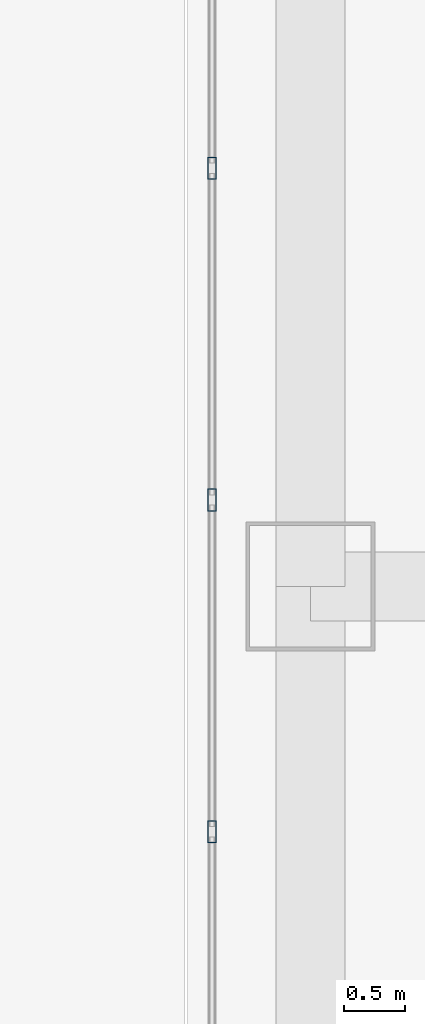
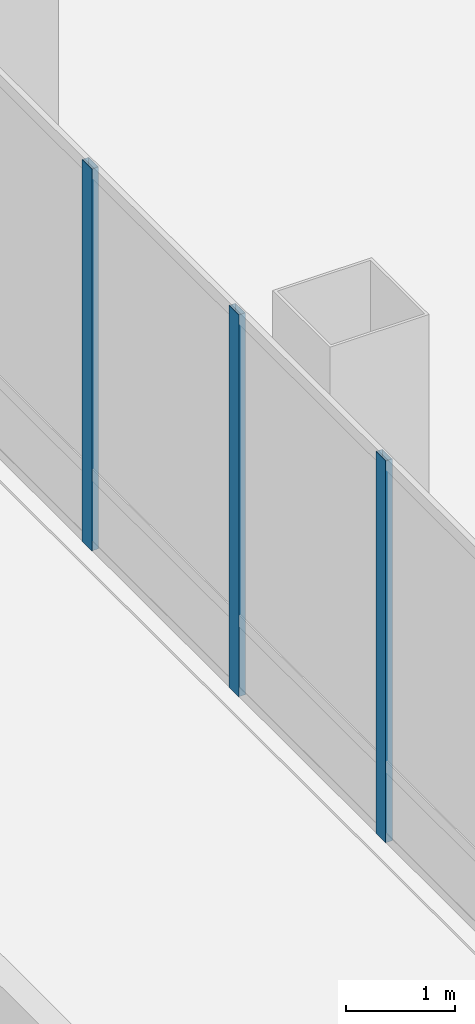
# One storey, part 8 of 33: 3 members, 1 element without a shape of its own.
"""IFC4 building model written with IfcOpenShell, lengths in metres."""

from ifc_helpers import new_model, si_unit, direction, frame, origin, origin_2d, place, context, subcontext, project, spatial, hollow_rectangle, extrude, material, material_profile, profile_set, type_object, element, aggregate, save


model = new_model("IFC4")

# Units and contexts
model_context = context("Model", 3, precision=1e-05, world=origin(), true_north=direction((0.0, 1.0)))
body_context = subcontext(model_context, "Body", "Model", "MODEL_VIEW")
ifc_project = project(units=[si_unit("LENGTHUNIT", "METRE"), si_unit("AREAUNIT", "SQUARE_METRE"), si_unit("VOLUMEUNIT", "CUBIC_METRE"), si_unit("PLANEANGLEUNIT", "RADIAN"), si_unit("MASSUNIT", "GRAM", prefix="KILO")], contexts=[model_context])

# Site, building, storey
site_placement = place(None, origin())
site = spatial("IfcSite", under=ifc_project, at=site_placement, CompositionType="ELEMENT")
building_placement = place(site_placement, origin())
building = spatial("IfcBuilding", under=site, at=building_placement, Name="Punatoya Terracotta Tower", CompositionType="ELEMENT")
storey_placement = place(building_placement, frame((0.0, 0.0, 343.800048828125)))
storey = spatial("IfcBuildingStorey", under=building, at=storey_placement, Name="L81", CompositionType="ELEMENT", Elevation=343.800048828125)

# Curtain wall, members
ifc_material_1 = material(Name="Aluminium 6063-T6 + Double Low-E Glass", Category="aluminium")
curtain_wall_type = type_object("IfcCurtainWallType", Name="CW-CRN", PredefinedType="NOTDEFINED", material=ifc_material_1)
curtain_wall_placement = place(storey_placement, origin())
curtain_wall = element("IfcCurtainWall", 1, at=curtain_wall_placement, inside=storey, type_object=curtain_wall_type, Name="L81 Curtain Wall CW-L81-W13-1", PredefinedType="NOTDEFINED")
ifc_material_2 = material(Name="Aluminium 6063-T6", Category="aluminium")
ifc_material_profile = material_profile(ifc_material_2, hollow_rectangle(XDim=0.070068359375, YDim=0.179931640625, WallThickness=0.00390625, at=origin_2d()))
ifc_profile_set = profile_set([ifc_material_profile], Name="Aluminium 6063-T6")
member_type = type_object("IfcMemberType", Name="CW-MUL-M3", PredefinedType="MULLION", material=ifc_profile_set)
member_1_placement = place(storey_placement, frame((-19.89990234375, 0.0, 0.0), z_axis=(0.0, 0.0, 1.0), x_axis=(1.0, 0.0, 0.0)))
member_1 = element("IfcMember", 2, at=member_1_placement, type_object=member_type, Name="CW-L81-W13-1 Mullion 06", PredefinedType="MULLION", context=body_context, shape_type="SweptSolid", body=[
    extrude(hollow_rectangle(XDim=0.070068359375, YDim=0.179931640625, WallThickness=0.00390625, at=origin_2d()), origin(), (0.0, 0.0, 1.0), 4.280029296875),
])
member_2_placement = place(storey_placement, frame((-19.89990234375, -2.69775390625, 0.0), z_axis=(0.0, 0.0, 1.0), x_axis=(1.0, 0.0, 0.0)))
member_2 = element("IfcMember", 3, at=member_2_placement, type_object=member_type, Name="CW-L81-W13-1 Mullion 07", PredefinedType="MULLION", context=body_context, shape_type="SweptSolid", body=[
    extrude(hollow_rectangle(XDim=0.070068359375, YDim=0.179931640625, WallThickness=0.00390625, at=origin_2d()), origin(), (0.0, 0.0, 1.0), 4.280029296875),
])
member_3_placement = place(storey_placement, frame((-19.89990234375, -5.3955078125, 0.0), z_axis=(0.0, 0.0, 1.0), x_axis=(1.0, 0.0, 0.0)))
member_3 = element("IfcMember", 4, at=member_3_placement, type_object=member_type, Name="CW-L81-W13-1 Mullion 08", PredefinedType="MULLION", context=body_context, shape_type="SweptSolid", body=[
    extrude(hollow_rectangle(XDim=0.070068359375, YDim=0.179931640625, WallThickness=0.00390625, at=origin_2d()), origin(), (0.0, 0.0, 1.0), 4.280029296875),
])
aggregate(curtain_wall, [member_1, member_2, member_3])

save(model, "model.ifc")
